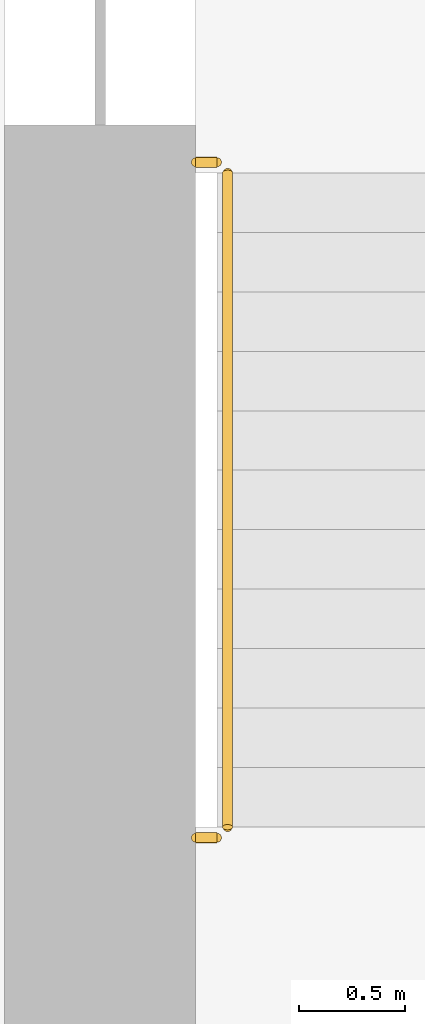
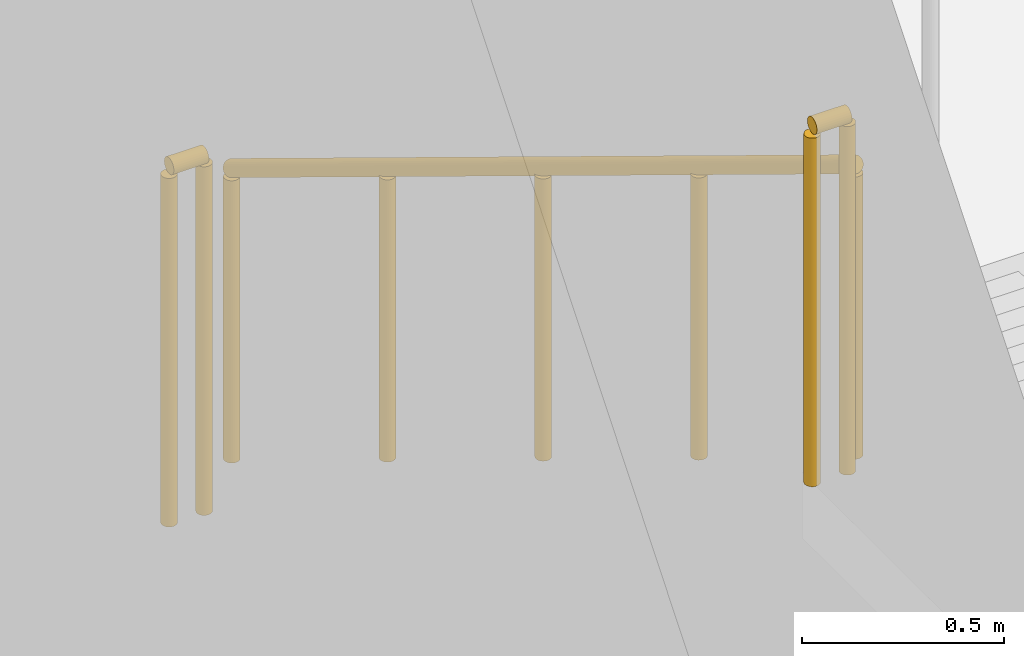
# One storey, part 10 of 17: 3 railings.
"""IFC4 building model written with IfcOpenShell, lengths in metres."""

from ifc_helpers import new_model, si_unit, direction, frame, origin, origin_2d, place, context, subcontext, project, spatial, circle, extrude, material, type_object, element, save


model = new_model("IFC4")

# Units and contexts
model_context = context("Model", 3, precision=1e-05, world=origin(), true_north=direction((0.0, 1.0)))
body_context = subcontext(model_context, "Body", "Model", "MODEL_VIEW")
ifc_project = project(units=[si_unit("LENGTHUNIT", "METRE"), si_unit("AREAUNIT", "SQUARE_METRE"), si_unit("VOLUMEUNIT", "CUBIC_METRE"), si_unit("PLANEANGLEUNIT", "RADIAN"), si_unit("MASSUNIT", "GRAM", prefix="KILO")], contexts=[model_context])

# Site, building, storey
site_placement = place(None, origin())
site = spatial("IfcSite", under=ifc_project, at=site_placement, CompositionType="ELEMENT")
building_placement = place(site_placement, origin())
building = spatial("IfcBuilding", under=site, at=building_placement, Name="Corbel Stack Research Tower", CompositionType="ELEMENT")
storey_placement = place(building_placement, frame((0.0, 0.0, 86.10009765625)))
storey = spatial("IfcBuildingStorey", under=building, at=storey_placement, Name="L19", CompositionType="ELEMENT", Elevation=86.10009765625)

# Railings
ifc_material_1 = material(Name="Steel S355", Category="steel")
railing_type_1 = type_object("IfcRailingType", Name="Stair guard 1100", PredefinedType="GUARDRAIL", material=ifc_material_1)
for number, where, name in (
    (1, (-9.60009765625, -5.530029296875, 2.0498046875), "L19 ST-W1 stair guard 3"),
    (2, (-9.60009765625, -2.35009765625, 0.0), "L19 ST-W1 stair guard 6"),
):
    element("IfcRailing", number, at=place(storey_placement, frame(where)), inside=storey, type_object=railing_type_1, Name=name, PredefinedType="GUARDRAIL", context=body_context, shape_type="SweptSolid", body=[
        extrude(circle(Radius=0.02392578125, at=origin_2d()), frame((0.0, 0.0, 1.076171875), z_axis=(1.0, 0.0, 0.0), x_axis=(0.0, 1.0, 0.0)), (0.0, 0.0, 1.0), 0.10009765625),
        extrude(circle(Radius=0.02099609375, at=origin_2d()), origin(), (0.0, 0.0, 1.0), 1.052001953125),
        extrude(circle(Radius=0.02099609375, at=origin_2d()), frame((0.10009765625, 0.0, 0.0)), (0.0, 0.0, 1.0), 1.052001953125),
    ])
ifc_material_2 = material(Name="Steel S355", Category="steel")
railing_type_2 = type_object("IfcRailingType", Name="Stair handrail 900", PredefinedType="HANDRAIL", material=ifc_material_2)
railing_placement = place(storey_placement, frame((-9.449951171875, -2.39990234375, 0.170654296875)))
element("IfcRailing", 3, at=railing_placement, inside=storey, type_object=railing_type_2, Name="L19 ST-W1 stair handrail 1", PredefinedType="HANDRAIL", context=body_context, shape_type="SweptSolid", body=[
    extrude(circle(Radius=0.02392578125, at=origin_2d()), frame((0.0, 0.0, 0.8759765625), z_axis=(0.0, -0.853666305674, 0.52082035152), x_axis=(1.0, 0.0, 0.0)), (0.0, 0.0, 1.0), 3.608154296875),
    extrude(circle(Radius=0.02099609375, at=origin_2d()), origin(), (0.0, 0.0, 1.0), 0.851806640625),
    extrude(circle(Radius=0.02099609375, at=origin_2d()), frame((0.0, -0.77001953125, 0.4697265625)), (0.0, 0.0, 1.0), 0.851806640625),
    extrude(circle(Radius=0.02099609375, at=origin_2d()), frame((0.0, -1.5400390625, 0.939453125)), (0.0, 0.0, 1.0), 0.851806640625),
    extrude(circle(Radius=0.02099609375, at=origin_2d()), frame((0.0, -2.31005859375, 1.409423828125)), (0.0, 0.0, 1.0), 0.851806640625),
    extrude(circle(Radius=0.02099609375, at=origin_2d()), frame((0.0, -3.080078125, 1.879150390625)), (0.0, 0.0, 1.0), 0.851806640625),
])

save(model, "model.ifc")
